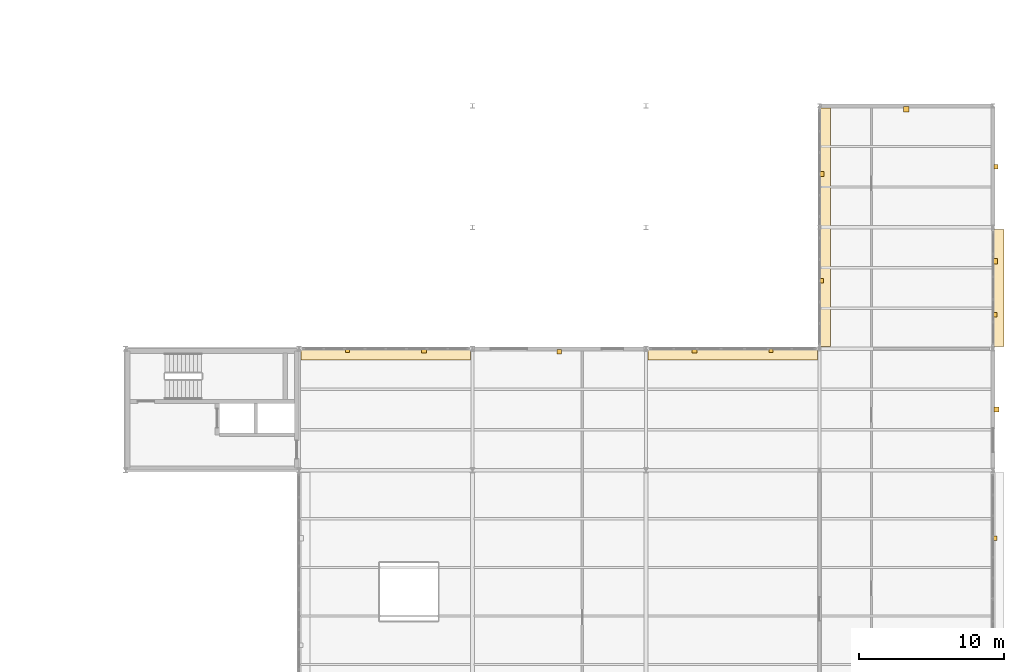
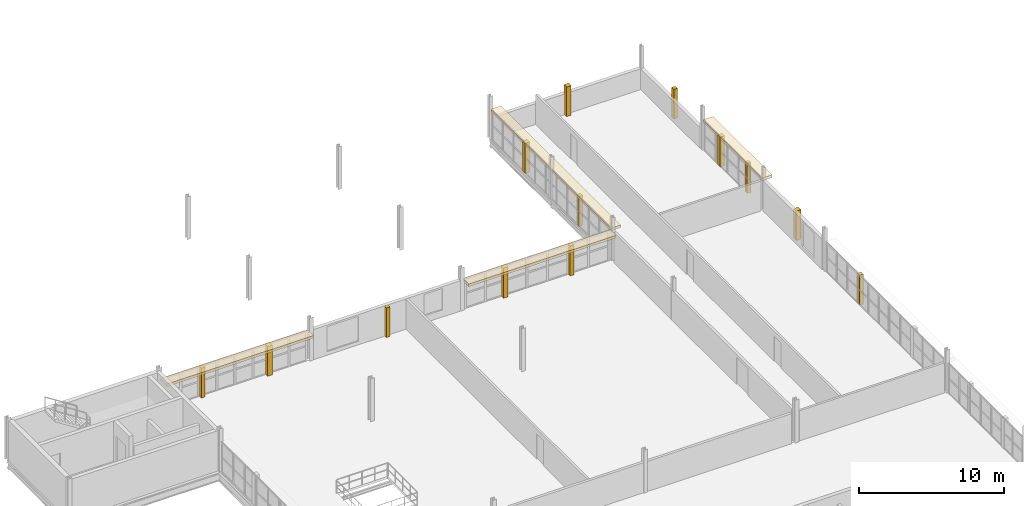
# One storey, part 79 of 79: 13 shading devices, 4 coverings.
"""IFC4 building model written with IfcOpenShell, lengths in metres."""

from ifc_helpers import new_model, si_unit, direction, frame, origin, origin_2d, place, context, subcontext, project, spatial, rectangle, extrude, material, layer, layer_set, material_profile, profile_set, type_object, element, save


model = new_model("IFC4")

# Units and contexts
model_context = context("Model", 3, precision=1e-05, world=origin(), true_north=direction((0.0, 1.0)))
body_context = subcontext(model_context, "Body", "Model", "MODEL_VIEW")
ifc_project = project(units=[si_unit("LENGTHUNIT", "METRE"), si_unit("AREAUNIT", "SQUARE_METRE"), si_unit("VOLUMEUNIT", "CUBIC_METRE"), si_unit("PLANEANGLEUNIT", "RADIAN"), si_unit("MASSUNIT", "GRAM", prefix="KILO"), si_unit("THERMODYNAMICTEMPERATUREUNIT", "KELVIN"), si_unit("POWERUNIT", "WATT")], contexts=[model_context])

# Site, building, storey
site_placement = place(None, origin())
site = spatial("IfcSite", under=ifc_project, at=site_placement, CompositionType="ELEMENT")
building_placement = place(site_placement, origin())
building = spatial("IfcBuilding", under=site, at=building_placement, Name="Tembeka Court Mobility Hub", CompositionType="ELEMENT")
storey_placement = place(building_placement, frame((0.0, 0.0, 9.0)))
storey = spatial("IfcBuildingStorey", under=building, at=storey_placement, Name="L02", CompositionType="ELEMENT", Elevation=9.0)

# Coverings
ifc_material_1 = material(Name="Dressed ochre Nairobi volcanic-tuff cladding", Category="masonry")
ifc_layer = layer(ifc_material_1, 0.0400390625)
ifc_layer_set = layer_set([ifc_layer], Name="Dressed ochre Nairobi volcanic-tuff cladding")
covering_type = type_object("IfcCoveringType", Name="COV-CD01", PredefinedType="CLADDING", material=ifc_layer_set)
covering_1_placement = place(storey_placement, frame((176.760009765625, 51.0, 2.30517578125), z_axis=(0.0, 0.0, 1.0), x_axis=(0.0, 1.0, 0.0)))
element("IfcCovering", 1, at=covering_1_placement, inside=storey, type_object=covering_type, Name="Projecting volcanic-tuff solar hood CVD1-H020", PredefinedType="CLADDING", context=body_context, shape_type="SweptSolid", body=[
    extrude(rectangle(XDim=8.10009765625, YDim=0.800048828125, at=origin_2d()), origin(), (0.0, 0.0, 1.0), 0.219970703125),
])
covering_2_placement = place(storey_placement, frame((164.760009765625, 55.199951171875, 2.30517578125), z_axis=(0.0, 0.0, 1.0), x_axis=(0.0, 1.0, 0.0)))
element("IfcCovering", 2, at=covering_2_placement, inside=storey, type_object=covering_type, Name="Projecting volcanic-tuff solar hood CVD1-H021", PredefinedType="CLADDING", context=body_context, shape_type="SweptSolid", body=[
    extrude(rectangle(XDim=16.5, YDim=0.800048828125, at=origin_2d()), origin(), (0.0, 0.0, 1.0), 0.219970703125),
])
for number, where, z_axis, x_axis, name in (
    (3, (134.39990234375, 46.43994140625, 2.30517578125), (0.0, 0.0, 1.0), (1.0, 0.0, 0.0), "Projecting volcanic-tuff solar hood CVD1-H022"),
    (4, (158.39990234375, 46.43994140625, 2.30517578125), (0.0, 0.0, 1.0), (1.0, 0.0, 0.0), "Projecting volcanic-tuff solar hood CVD1-H023"),
):
    element("IfcCovering", number, at=place(storey_placement, frame(where, z_axis=z_axis, x_axis=x_axis)), inside=storey, type_object=covering_type, Name=name, PredefinedType="CLADDING", context=body_context, shape_type="SweptSolid", body=[
        extrude(rectangle(XDim=11.699951171875, YDim=0.800048828125, at=origin_2d()), origin(), (0.0, 0.0, 1.0), 0.219970703125),
    ])

# Shading devices
ifc_material_2 = material(Name="Bronze-anodised aluminium 6063-T6", Category="aluminium")
ifc_material_profile_1 = material_profile(ifc_material_2, rectangle(XDim=0.360107421875, YDim=0.360107421875, at=origin_2d()), Name="ALU-FIN 360x360")
ifc_profile_set_1 = profile_set([ifc_material_profile_1], Name="Bronze-anodised aluminium 6063-T6")
shading_device_type_1 = type_object("IfcShadingDeviceType", Name="SHD-FN01", PredefinedType="JALOUSIE", material=ifc_profile_set_1)
shading_device_1_placement = place(storey_placement, frame((176.639892578125, 42.60009765625, 0.0), z_axis=(0.0, 0.0, 1.0), x_axis=(1.0, 0.0, 0.0)))
element("IfcShadingDevice", 5, at=shading_device_1_placement, inside=storey, type_object=shading_device_type_1, Name="Equatorial solar shading fin FN01-040", PredefinedType="JALOUSIE", context=body_context, shape_type="SweptSolid", body=[
    extrude(rectangle(XDim=0.360107421875, YDim=0.360107421875, at=origin_2d()), origin(), (0.0, 0.0, 1.0), 2.485107421875),
])
shading_device_2_placement = place(storey_placement, frame((176.52001953125, 52.847900390625, 0.0), z_axis=(0.0, 0.0, 1.0), x_axis=(1.0, 0.0, 0.0)))
element("IfcShadingDevice", 6, at=shading_device_2_placement, inside=storey, type_object=shading_device_type_1, Name="Equatorial solar shading fin FN01-042", PredefinedType="JALOUSIE", context=body_context, shape_type="SweptSolid", body=[
    extrude(rectangle(XDim=0.360107421875, YDim=0.360107421875, at=origin_2d()), origin(), (0.0, 0.0, 1.0), 2.514892578125),
])
shading_device_3_placement = place(storey_placement, frame((170.39990234375, 63.360107421875, 0.0), z_axis=(0.0, 0.0, 1.0), x_axis=(1.0, 0.0, 0.0)))
element("IfcShadingDevice", 7, at=shading_device_3_placement, inside=storey, type_object=shading_device_type_1, Name="Equatorial solar shading fin FN01-044", PredefinedType="JALOUSIE", context=body_context, shape_type="SweptSolid", body=[
    extrude(rectangle(XDim=0.360107421875, YDim=0.360107421875, at=origin_2d()), origin(), (0.0, 0.0, 1.0), 2.485107421875),
])
for number, where, z_axis, x_axis, name in (
    (8, (164.52001953125, 58.89599609375, 0.0), (0.0, 0.0, 1.0), (1.0, 0.0, 0.0), "Equatorial solar shading fin FN01-046"),
    (9, (137.0400390625, 46.679931640625, 0.0), (0.0, 0.0, 1.0), (1.0, 0.0, 0.0), "Equatorial solar shading fin FN01-048"),
    (10, (155.760009765625, 46.679931640625, 0.0), (0.0, 0.0, 1.0), (1.0, 0.0, 0.0), "Equatorial solar shading fin FN01-050"),
):
    element("IfcShadingDevice", number, at=place(storey_placement, frame(where, z_axis=z_axis, x_axis=x_axis)), inside=storey, type_object=shading_device_type_1, Name=name, PredefinedType="JALOUSIE", context=body_context, shape_type="SweptSolid", body=[
        extrude(rectangle(XDim=0.360107421875, YDim=0.360107421875, at=origin_2d()), origin(), (0.0, 0.0, 1.0), 2.514892578125),
    ])
ifc_material_profile_2 = material_profile(ifc_material_2, rectangle(XDim=0.300048828125, YDim=0.300048828125, at=origin_2d()), Name="ALU-LVR 300x300")
ifc_profile_set_2 = profile_set([ifc_material_profile_2], Name="Bronze-anodised aluminium 6063-T6")
shading_device_type_2 = type_object("IfcShadingDeviceType", Name="SHD-LV01", PredefinedType="SHUTTER", material=ifc_profile_set_2)
for number, where, z_axis, x_axis, name in (
    (11, (176.52001953125, 33.696044921875, 0.0), (0.0, 0.0, 1.0), (1.0, 0.0, 0.0), "Equatorial solar shading fin LV01-039"),
    (12, (176.52001953125, 49.152099609375, 0.0), (0.0, 0.0, 1.0), (1.0, 0.0, 0.0), "Equatorial solar shading fin LV01-041"),
):
    element("IfcShadingDevice", number, at=place(storey_placement, frame(where, z_axis=z_axis, x_axis=x_axis)), inside=storey, type_object=shading_device_type_2, Name=name, PredefinedType="SHUTTER", context=body_context, shape_type="SweptSolid", body=[
        extrude(rectangle(XDim=0.300048828125, YDim=0.300048828125, at=origin_2d()), origin(), (0.0, 0.0, 1.0), 2.514892578125),
    ])
shading_device_4_placement = place(storey_placement, frame((176.610107421875, 59.39990234375, 0.0), z_axis=(0.0, 0.0, 1.0), x_axis=(1.0, 0.0, 0.0)))
element("IfcShadingDevice", 13, at=shading_device_4_placement, inside=storey, type_object=shading_device_type_2, Name="Equatorial solar shading fin LV01-043", PredefinedType="SHUTTER", context=body_context, shape_type="SweptSolid", body=[
    extrude(rectangle(XDim=0.300048828125, YDim=0.300048828125, at=origin_2d()), origin(), (0.0, 0.0, 1.0), 2.485107421875),
])
for number, where, z_axis, x_axis, name in (
    (14, (164.52001953125, 51.50390625, 0.0), (0.0, 0.0, 1.0), (1.0, 0.0, 0.0), "Equatorial solar shading fin LV01-045"),
    (15, (131.760009765625, 46.679931640625, 0.0), (0.0, 0.0, 1.0), (1.0, 0.0, 0.0), "Equatorial solar shading fin LV01-047"),
):
    element("IfcShadingDevice", number, at=place(storey_placement, frame(where, z_axis=z_axis, x_axis=x_axis)), inside=storey, type_object=shading_device_type_2, Name=name, PredefinedType="SHUTTER", context=body_context, shape_type="SweptSolid", body=[
        extrude(rectangle(XDim=0.300048828125, YDim=0.300048828125, at=origin_2d()), origin(), (0.0, 0.0, 1.0), 2.514892578125),
    ])
shading_device_5_placement = place(storey_placement, frame((146.39990234375, 46.590087890625, 0.0), z_axis=(0.0, 0.0, 1.0), x_axis=(1.0, 0.0, 0.0)))
element("IfcShadingDevice", 16, at=shading_device_5_placement, inside=storey, type_object=shading_device_type_2, Name="Equatorial solar shading fin LV01-049", PredefinedType="SHUTTER", context=body_context, shape_type="SweptSolid", body=[
    extrude(rectangle(XDim=0.300048828125, YDim=0.300048828125, at=origin_2d()), origin(), (0.0, 0.0, 1.0), 2.485107421875),
])
shading_device_6_placement = place(storey_placement, frame((161.0400390625, 46.679931640625, 0.0), z_axis=(0.0, 0.0, 1.0), x_axis=(1.0, 0.0, 0.0)))
element("IfcShadingDevice", 17, at=shading_device_6_placement, inside=storey, type_object=shading_device_type_2, Name="Equatorial solar shading fin LV01-051", PredefinedType="SHUTTER", context=body_context, shape_type="SweptSolid", body=[
    extrude(rectangle(XDim=0.300048828125, YDim=0.300048828125, at=origin_2d()), origin(), (0.0, 0.0, 1.0), 2.514892578125),
])

save(model, "model.ifc")
